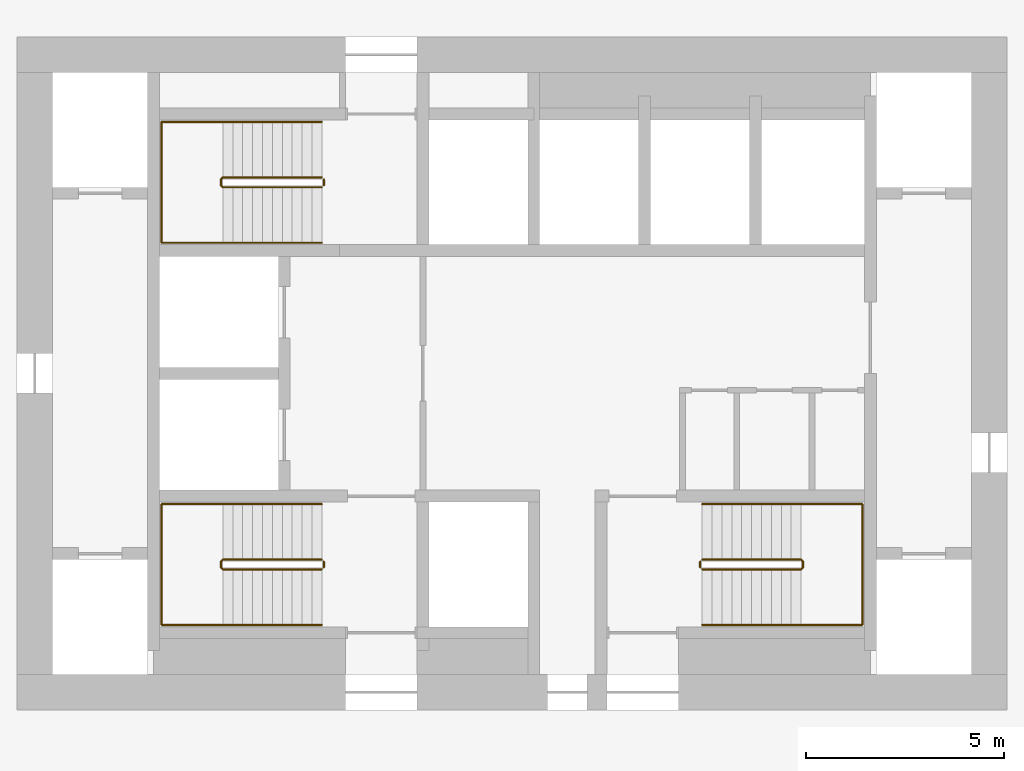
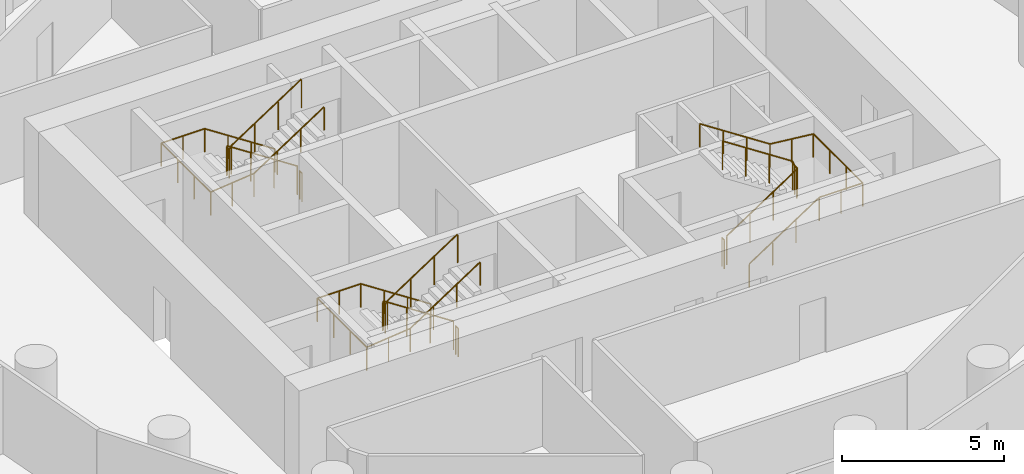
# One storey, part 9 of 9: 9 railings.
"""IFC4 building model written with IfcOpenShell, lengths in metres."""

from ifc_helpers import new_model, si_unit, direction, frame, origin, origin_2d, place, context, subcontext, project, spatial, circle, extrude, material, type_object, element, save


model = new_model("IFC4")

# Units and contexts
model_context = context("Model", 3, precision=1e-05, world=origin(), true_north=direction((0.0, 1.0)))
body_context = subcontext(model_context, "Body", "Model", "MODEL_VIEW")
ifc_project = project(units=[si_unit("LENGTHUNIT", "METRE"), si_unit("AREAUNIT", "SQUARE_METRE"), si_unit("VOLUMEUNIT", "CUBIC_METRE"), si_unit("PLANEANGLEUNIT", "RADIAN"), si_unit("MASSUNIT", "GRAM", prefix="KILO")], contexts=[model_context])

# Site, building, storey
site_placement = place(None, origin())
site = spatial("IfcSite", under=ifc_project, at=site_placement, CompositionType="ELEMENT")
building_placement = place(site_placement, origin())
building = spatial("IfcBuilding", under=site, at=building_placement, Name="Tracery Tower", CompositionType="ELEMENT")
storey_placement = place(building_placement, frame((0.0, 0.0, 154.800048828125)))
storey = spatial("IfcBuildingStorey", under=building, at=storey_placement, Name="L39", CompositionType="ELEMENT", Elevation=154.800048828125)

# Railings
ifc_material_1 = material(Name="Stainless steel and laminated glass", Category="steel")
railing_type_1 = type_object("IfcRailingType", Name="Stair guard 1100", PredefinedType="GUARDRAIL", material=ifc_material_1)
railing_1_placement = place(storey_placement, frame((-4.800048828125, -4.699951171875, 0.16357421875)))
element("IfcRailing", 1, at=railing_1_placement, inside=storey, type_object=railing_type_1, Name="L39 stair ST1 guard 1", PredefinedType="GUARDRAIL", context=body_context, shape_type="SweptSolid", body=[
    extrude(circle(Radius=0.02392578125, at=origin_2d()), frame((0.0, 0.0, 1.076171875), z_axis=(-0.83668449804, 0.0, 0.54768517484), x_axis=(0.0, -1.0, 0.0)), (0.0, 0.0, 1.0), 2.988037109375),
    extrude(circle(Radius=0.02392578125, at=origin_2d()), frame((-2.5, 0.0, 2.71240234375), z_axis=(-0.707106781187, -0.707106781187, 0.0), x_axis=(0.707106781187, -0.707106781187, 0.0)), (0.0, 0.0, 1.0), 0.07080078125),
    extrude(circle(Radius=0.02392578125, at=origin_2d()), frame((-2.550048828125, -0.050048828125, 2.71240234375), z_axis=(0.0, -1.0, 0.0), x_axis=(1.0, 0.0, 0.0)), (0.0, 0.0, 1.0), 0.14990234375),
    extrude(circle(Radius=0.02392578125, at=origin_2d()), frame((-2.550048828125, -0.199951171875, 2.71240234375), z_axis=(0.280808744504, -0.280808744504, 0.917765164963), x_axis=(0.707106781187, 0.707106781187, 0.0)), (0.0, 0.0, 1.0), 0.17822265625),
    extrude(circle(Radius=0.02392578125, at=origin_2d()), frame((-2.5, -0.25, 2.8759765625), z_axis=(0.836721939367, 0.0, 0.547627972425), x_axis=(0.0, 1.0, 0.0)), (0.0, 0.0, 1.0), 2.98779296875),
    extrude(circle(Radius=0.02099609375, at=origin_2d()), origin(), (0.0, 0.0, 1.0), 1.052001953125),
    extrude(circle(Radius=0.02099609375, at=origin_2d()), frame((-0.833251953125, 0.0, 0.54541015625)), (0.0, 0.0, 1.0), 1.052001953125),
    extrude(circle(Radius=0.02099609375, at=origin_2d()), frame((-1.666748046875, 0.0, 1.091064453125)), (0.0, 0.0, 1.0), 1.052001953125),
    extrude(circle(Radius=0.02099609375, at=origin_2d()), frame((-2.5, 0.0, 1.636474609375)), (0.0, 0.0, 1.0), 1.052001953125),
    extrude(circle(Radius=0.02099609375, at=origin_2d()), frame((-2.550048828125, -0.050048828125, 1.636474609375)), (0.0, 0.0, 1.0), 1.052001953125),
    extrude(circle(Radius=0.02099609375, at=origin_2d()), frame((-2.550048828125, -0.199951171875, 1.636474609375)), (0.0, 0.0, 1.0), 1.052001953125),
    extrude(circle(Radius=0.02099609375, at=origin_2d()), frame((-2.5, -0.25, 1.800048828125)), (0.0, 0.0, 1.0), 1.052001953125),
    extrude(circle(Radius=0.02099609375, at=origin_2d()), frame((-1.666748046875, -0.25, 2.345458984375)), (0.0, 0.0, 1.0), 1.052001953125),
    extrude(circle(Radius=0.02099609375, at=origin_2d()), frame((-0.833251953125, -0.25, 2.890869140625)), (0.0, 0.0, 1.0), 1.052001953125),
    extrude(circle(Radius=0.02099609375, at=origin_2d()), frame((0.0, -0.25, 3.436279296875)), (0.0, 0.0, 1.0), 1.052001953125),
])
railing_2_placement = place(storey_placement, frame((-4.75, -4.75, 0.0)))
element("IfcRailing", 2, at=railing_2_placement, inside=storey, type_object=railing_type_1, Name="L39 stair ST1 guard 2", PredefinedType="GUARDRAIL", context=body_context, shape_type="SweptSolid", body=[
    extrude(circle(Radius=0.02392578125, at=origin_2d()), frame((0.0, 0.0, 1.076171875), z_axis=(0.0, -1.0, 0.0), x_axis=(1.0, 0.0, 0.0)), (0.0, 0.0, 1.0), 0.14990234375),
    extrude(circle(Radius=0.02099609375, at=origin_2d()), origin(), (0.0, 0.0, 1.0), 1.052001953125),
    extrude(circle(Radius=0.02099609375, at=origin_2d()), frame((0.0, -0.14990234375, 0.0)), (0.0, 0.0, 1.0), 1.052001953125),
])
railing_3_placement = place(storey_placement, frame((-4.800048828125, 4.949951171875, 0.16357421875)))
element("IfcRailing", 3, at=railing_3_placement, inside=storey, type_object=railing_type_1, Name="L39 stair ST3 guard 1", PredefinedType="GUARDRAIL", context=body_context, shape_type="SweptSolid", body=[
    extrude(circle(Radius=0.02392578125, at=origin_2d()), frame((0.0, 0.0, 1.076171875), z_axis=(-0.83668449804, 0.0, 0.54768517484), x_axis=(0.0, -1.0, 0.0)), (0.0, 0.0, 1.0), 2.988037109375),
    extrude(circle(Radius=0.02392578125, at=origin_2d()), frame((-2.5, 0.0, 2.71240234375), z_axis=(-0.707106781187, -0.707106781187, 0.0), x_axis=(0.707106781187, -0.707106781187, 0.0)), (0.0, 0.0, 1.0), 0.07080078125),
    extrude(circle(Radius=0.02392578125, at=origin_2d()), frame((-2.550048828125, -0.050048828125, 2.71240234375), z_axis=(0.0, -1.0, 0.0), x_axis=(1.0, 0.0, 0.0)), (0.0, 0.0, 1.0), 0.14990234375),
    extrude(circle(Radius=0.02392578125, at=origin_2d()), frame((-2.550048828125, -0.199951171875, 2.71240234375), z_axis=(0.280808744504, -0.280808744504, 0.917765164963), x_axis=(0.707106781187, 0.707106781187, 0.0)), (0.0, 0.0, 1.0), 0.17822265625),
    extrude(circle(Radius=0.02392578125, at=origin_2d()), frame((-2.5, -0.25, 2.8759765625), z_axis=(0.836721939367, 0.0, 0.547627972425), x_axis=(0.0, 1.0, 0.0)), (0.0, 0.0, 1.0), 2.98779296875),
    extrude(circle(Radius=0.02099609375, at=origin_2d()), origin(), (0.0, 0.0, 1.0), 1.052001953125),
    extrude(circle(Radius=0.02099609375, at=origin_2d()), frame((-0.833251953125, 0.0, 0.54541015625)), (0.0, 0.0, 1.0), 1.052001953125),
    extrude(circle(Radius=0.02099609375, at=origin_2d()), frame((-1.666748046875, 0.0, 1.091064453125)), (0.0, 0.0, 1.0), 1.052001953125),
    extrude(circle(Radius=0.02099609375, at=origin_2d()), frame((-2.5, 0.0, 1.636474609375)), (0.0, 0.0, 1.0), 1.052001953125),
    extrude(circle(Radius=0.02099609375, at=origin_2d()), frame((-2.550048828125, -0.050048828125, 1.636474609375)), (0.0, 0.0, 1.0), 1.052001953125),
    extrude(circle(Radius=0.02099609375, at=origin_2d()), frame((-2.550048828125, -0.199951171875, 1.636474609375)), (0.0, 0.0, 1.0), 1.052001953125),
    extrude(circle(Radius=0.02099609375, at=origin_2d()), frame((-2.5, -0.25, 1.800048828125)), (0.0, 0.0, 1.0), 1.052001953125),
    extrude(circle(Radius=0.02099609375, at=origin_2d()), frame((-1.666748046875, -0.25, 2.345458984375)), (0.0, 0.0, 1.0), 1.052001953125),
    extrude(circle(Radius=0.02099609375, at=origin_2d()), frame((-0.833251953125, -0.25, 2.890869140625)), (0.0, 0.0, 1.0), 1.052001953125),
    extrude(circle(Radius=0.02099609375, at=origin_2d()), frame((0.0, -0.25, 3.436279296875)), (0.0, 0.0, 1.0), 1.052001953125),
])
railing_4_placement = place(storey_placement, frame((-4.75, 4.89990234375, 0.0)))
element("IfcRailing", 4, at=railing_4_placement, inside=storey, type_object=railing_type_1, Name="L39 stair ST3 guard 2", PredefinedType="GUARDRAIL", context=body_context, shape_type="SweptSolid", body=[
    extrude(circle(Radius=0.02392578125, at=origin_2d()), frame((0.0, 0.0, 1.076171875), z_axis=(0.0, -1.0, 0.0), x_axis=(1.0, 0.0, 0.0)), (0.0, 0.0, 1.0), 0.14990234375),
    extrude(circle(Radius=0.02099609375, at=origin_2d()), origin(), (0.0, 0.0, 1.0), 1.052001953125),
    extrude(circle(Radius=0.02099609375, at=origin_2d()), frame((0.0, -0.14990234375, 0.0)), (0.0, 0.0, 1.0), 1.052001953125),
])
railing_5_placement = place(storey_placement, frame((4.800048828125, -4.949951171875, 0.16357421875)))
element("IfcRailing", 5, at=railing_5_placement, inside=storey, type_object=railing_type_1, Name="L39 stair ST2 guard 1", PredefinedType="GUARDRAIL", context=body_context, shape_type="SweptSolid", body=[
    extrude(circle(Radius=0.02392578125, at=origin_2d()), frame((0.0, 0.0, 1.076171875), z_axis=(0.83668449804, 0.0, 0.54768517484), x_axis=(0.0, 1.0, 0.0)), (0.0, 0.0, 1.0), 2.988037109375),
    extrude(circle(Radius=0.02392578125, at=origin_2d()), frame((2.5, 0.0, 2.71240234375), z_axis=(0.707106781187, 0.707106781187, 0.0), x_axis=(-0.707106781187, 0.707106781187, 0.0)), (0.0, 0.0, 1.0), 0.07080078125),
    extrude(circle(Radius=0.02392578125, at=origin_2d()), frame((2.550048828125, 0.050048828125, 2.71240234375), z_axis=(0.0, 1.0, 0.0), x_axis=(-1.0, 0.0, 0.0)), (0.0, 0.0, 1.0), 0.14990234375),
    extrude(circle(Radius=0.02392578125, at=origin_2d()), frame((2.550048828125, 0.199951171875, 2.71240234375), z_axis=(-0.280808744504, 0.280808744504, 0.917765164963), x_axis=(-0.707106781187, -0.707106781187, 0.0)), (0.0, 0.0, 1.0), 0.17822265625),
    extrude(circle(Radius=0.02392578125, at=origin_2d()), frame((2.5, 0.25, 2.8759765625), z_axis=(-0.836721939367, 0.0, 0.547627972425), x_axis=(0.0, -1.0, 0.0)), (0.0, 0.0, 1.0), 2.98779296875),
    extrude(circle(Radius=0.02099609375, at=origin_2d()), origin(), (0.0, 0.0, 1.0), 1.052001953125),
    extrude(circle(Radius=0.02099609375, at=origin_2d()), frame((0.833251953125, 0.0, 0.54541015625)), (0.0, 0.0, 1.0), 1.052001953125),
    extrude(circle(Radius=0.02099609375, at=origin_2d()), frame((1.666748046875, 0.0, 1.091064453125)), (0.0, 0.0, 1.0), 1.052001953125),
    extrude(circle(Radius=0.02099609375, at=origin_2d()), frame((2.5, 0.0, 1.636474609375)), (0.0, 0.0, 1.0), 1.052001953125),
    extrude(circle(Radius=0.02099609375, at=origin_2d()), frame((2.550048828125, 0.050048828125, 1.636474609375)), (0.0, 0.0, 1.0), 1.052001953125),
    extrude(circle(Radius=0.02099609375, at=origin_2d()), frame((2.550048828125, 0.199951171875, 1.636474609375)), (0.0, 0.0, 1.0), 1.052001953125),
    extrude(circle(Radius=0.02099609375, at=origin_2d()), frame((2.5, 0.25, 1.800048828125)), (0.0, 0.0, 1.0), 1.052001953125),
    extrude(circle(Radius=0.02099609375, at=origin_2d()), frame((1.666748046875, 0.25, 2.345458984375)), (0.0, 0.0, 1.0), 1.052001953125),
    extrude(circle(Radius=0.02099609375, at=origin_2d()), frame((0.833251953125, 0.25, 2.890869140625)), (0.0, 0.0, 1.0), 1.052001953125),
    extrude(circle(Radius=0.02099609375, at=origin_2d()), frame((0.0, 0.25, 3.436279296875)), (0.0, 0.0, 1.0), 1.052001953125),
])
railing_6_placement = place(storey_placement, frame((4.75, -4.89990234375, 0.0)))
element("IfcRailing", 6, at=railing_6_placement, inside=storey, type_object=railing_type_1, Name="L39 stair ST2 guard 2", PredefinedType="GUARDRAIL", context=body_context, shape_type="SweptSolid", body=[
    extrude(circle(Radius=0.02392578125, at=origin_2d()), frame((0.0, 0.0, 1.076171875), z_axis=(0.0, 1.0, 0.0), x_axis=(-1.0, 0.0, 0.0)), (0.0, 0.0, 1.0), 0.14990234375),
    extrude(circle(Radius=0.02099609375, at=origin_2d()), origin(), (0.0, 0.0, 1.0), 1.052001953125),
    extrude(circle(Radius=0.02099609375, at=origin_2d()), frame((0.0, 0.14990234375, 0.0)), (0.0, 0.0, 1.0), 1.052001953125),
])
ifc_material_2 = material(Name="Stainless steel and laminated glass", Category="steel")
railing_type_2 = type_object("IfcRailingType", Name="Stair handrail 900", PredefinedType="HANDRAIL", material=ifc_material_2)
railing_7_placement = place(storey_placement, frame((-4.800048828125, -3.300048828125, 0.16357421875)))
element("IfcRailing", 7, at=railing_7_placement, inside=storey, type_object=railing_type_2, Name="L39 stair ST1 handrail 1", PredefinedType="HANDRAIL", context=body_context, shape_type="SweptSolid", body=[
    extrude(circle(Radius=0.02392578125, at=origin_2d()), frame((0.0, 0.0, 0.8759765625), z_axis=(-0.83668449804, 0.0, 0.54768517484), x_axis=(0.0, -1.0, 0.0)), (0.0, 0.0, 1.0), 2.988037109375),
    extrude(circle(Radius=0.02392578125, at=origin_2d()), frame((-2.5, 0.0, 2.51220703125), z_axis=(-1.0, 0.0, 0.0), x_axis=(0.0, -1.0, 0.0)), (0.0, 0.0, 1.0), 1.550048828125),
    extrude(circle(Radius=0.02392578125, at=origin_2d()), frame((-4.050048828125, 0.0, 2.51220703125), z_axis=(0.0, -1.0, 0.0), x_axis=(1.0, 0.0, 0.0)), (0.0, 0.0, 1.0), 3.050048828125),
    extrude(circle(Radius=0.02392578125, at=origin_2d()), frame((-4.050048828125, -3.050048828125, 2.51220703125), z_axis=(0.994477953863, 0.0, 0.104945696817), x_axis=(0.0, 1.0, 0.0)), (0.0, 0.0, 1.0), 1.55859375),
    extrude(circle(Radius=0.02392578125, at=origin_2d()), frame((-2.5, -3.050048828125, 2.67578125), z_axis=(0.836721939367, 0.0, 0.547627972425), x_axis=(0.0, 1.0, 0.0)), (0.0, 0.0, 1.0), 2.98779296875),
    extrude(circle(Radius=0.02099609375, at=origin_2d()), origin(), (0.0, 0.0, 1.0), 0.851806640625),
    extrude(circle(Radius=0.02099609375, at=origin_2d()), frame((-0.833251953125, 0.0, 0.54541015625)), (0.0, 0.0, 1.0), 0.851806640625),
    extrude(circle(Radius=0.02099609375, at=origin_2d()), frame((-1.666748046875, 0.0, 1.091064453125)), (0.0, 0.0, 1.0), 0.851806640625),
    extrude(circle(Radius=0.02099609375, at=origin_2d()), frame((-2.5, 0.0, 1.636474609375)), (0.0, 0.0, 1.0), 0.851806640625),
    extrude(circle(Radius=0.02099609375, at=origin_2d()), frame((-3.27490234375, 0.0, 1.636474609375)), (0.0, 0.0, 1.0), 0.851806640625),
    extrude(circle(Radius=0.02099609375, at=origin_2d()), frame((-4.050048828125, 0.0, 1.636474609375)), (0.0, 0.0, 1.0), 0.851806640625),
    extrude(circle(Radius=0.02099609375, at=origin_2d()), frame((-4.050048828125, -1.0166015625, 1.636474609375)), (0.0, 0.0, 1.0), 0.851806640625),
    extrude(circle(Radius=0.02099609375, at=origin_2d()), frame((-4.050048828125, -2.033447265625, 1.636474609375)), (0.0, 0.0, 1.0), 0.851806640625),
    extrude(circle(Radius=0.02099609375, at=origin_2d()), frame((-4.050048828125, -3.050048828125, 1.636474609375)), (0.0, 0.0, 1.0), 0.851806640625),
    extrude(circle(Radius=0.02099609375, at=origin_2d()), frame((-3.27490234375, -3.050048828125, 1.71826171875)), (0.0, 0.0, 1.0), 0.851806640625),
    extrude(circle(Radius=0.02099609375, at=origin_2d()), frame((-2.5, -3.050048828125, 1.800048828125)), (0.0, 0.0, 1.0), 0.851806640625),
    extrude(circle(Radius=0.02099609375, at=origin_2d()), frame((-1.666748046875, -3.050048828125, 2.345458984375)), (0.0, 0.0, 1.0), 0.851806640625),
    extrude(circle(Radius=0.02099609375, at=origin_2d()), frame((-0.833251953125, -3.050048828125, 2.890869140625)), (0.0, 0.0, 1.0), 0.851806640625),
    extrude(circle(Radius=0.02099609375, at=origin_2d()), frame((0.0, -3.050048828125, 3.436279296875)), (0.0, 0.0, 1.0), 0.851806640625),
])
railing_8_placement = place(storey_placement, frame((-4.800048828125, 6.35009765625, 0.16357421875)))
element("IfcRailing", 8, at=railing_8_placement, inside=storey, type_object=railing_type_2, Name="L39 stair ST3 handrail 1", PredefinedType="HANDRAIL", context=body_context, shape_type="SweptSolid", body=[
    extrude(circle(Radius=0.02392578125, at=origin_2d()), frame((0.0, 0.0, 0.8759765625), z_axis=(-0.83668449804, 0.0, 0.54768517484), x_axis=(0.0, -1.0, 0.0)), (0.0, 0.0, 1.0), 2.988037109375),
    extrude(circle(Radius=0.02392578125, at=origin_2d()), frame((-2.5, 0.0, 2.51220703125), z_axis=(-1.0, 0.0, 0.0), x_axis=(0.0, -1.0, 0.0)), (0.0, 0.0, 1.0), 1.550048828125),
    extrude(circle(Radius=0.02392578125, at=origin_2d()), frame((-4.050048828125, 0.0, 2.51220703125), z_axis=(0.0, -1.0, 0.0), x_axis=(1.0, 0.0, 0.0)), (0.0, 0.0, 1.0), 3.050048828125),
    extrude(circle(Radius=0.02392578125, at=origin_2d()), frame((-4.050048828125, -3.050048828125, 2.51220703125), z_axis=(0.994477953863, 0.0, 0.104945696817), x_axis=(0.0, 1.0, 0.0)), (0.0, 0.0, 1.0), 1.55859375),
    extrude(circle(Radius=0.02392578125, at=origin_2d()), frame((-2.5, -3.050048828125, 2.67578125), z_axis=(0.836721939367, 0.0, 0.547627972425), x_axis=(0.0, 1.0, 0.0)), (0.0, 0.0, 1.0), 2.98779296875),
    extrude(circle(Radius=0.02099609375, at=origin_2d()), origin(), (0.0, 0.0, 1.0), 0.851806640625),
    extrude(circle(Radius=0.02099609375, at=origin_2d()), frame((-0.833251953125, 0.0, 0.54541015625)), (0.0, 0.0, 1.0), 0.851806640625),
    extrude(circle(Radius=0.02099609375, at=origin_2d()), frame((-1.666748046875, 0.0, 1.091064453125)), (0.0, 0.0, 1.0), 0.851806640625),
    extrude(circle(Radius=0.02099609375, at=origin_2d()), frame((-2.5, 0.0, 1.636474609375)), (0.0, 0.0, 1.0), 0.851806640625),
    extrude(circle(Radius=0.02099609375, at=origin_2d()), frame((-3.27490234375, 0.0, 1.636474609375)), (0.0, 0.0, 1.0), 0.851806640625),
    extrude(circle(Radius=0.02099609375, at=origin_2d()), frame((-4.050048828125, 0.0, 1.636474609375)), (0.0, 0.0, 1.0), 0.851806640625),
    extrude(circle(Radius=0.02099609375, at=origin_2d()), frame((-4.050048828125, -1.0166015625, 1.636474609375)), (0.0, 0.0, 1.0), 0.851806640625),
    extrude(circle(Radius=0.02099609375, at=origin_2d()), frame((-4.050048828125, -2.033447265625, 1.636474609375)), (0.0, 0.0, 1.0), 0.851806640625),
    extrude(circle(Radius=0.02099609375, at=origin_2d()), frame((-4.050048828125, -3.050048828125, 1.636474609375)), (0.0, 0.0, 1.0), 0.851806640625),
    extrude(circle(Radius=0.02099609375, at=origin_2d()), frame((-3.27490234375, -3.050048828125, 1.71826171875)), (0.0, 0.0, 1.0), 0.851806640625),
    extrude(circle(Radius=0.02099609375, at=origin_2d()), frame((-2.5, -3.050048828125, 1.800048828125)), (0.0, 0.0, 1.0), 0.851806640625),
    extrude(circle(Radius=0.02099609375, at=origin_2d()), frame((-1.666748046875, -3.050048828125, 2.345458984375)), (0.0, 0.0, 1.0), 0.851806640625),
    extrude(circle(Radius=0.02099609375, at=origin_2d()), frame((-0.833251953125, -3.050048828125, 2.890869140625)), (0.0, 0.0, 1.0), 0.851806640625),
    extrude(circle(Radius=0.02099609375, at=origin_2d()), frame((0.0, -3.050048828125, 3.436279296875)), (0.0, 0.0, 1.0), 0.851806640625),
])
railing_9_placement = place(storey_placement, frame((4.800048828125, -6.35009765625, 0.16357421875)))
element("IfcRailing", 9, at=railing_9_placement, inside=storey, type_object=railing_type_2, Name="L39 stair ST2 handrail 1", PredefinedType="HANDRAIL", context=body_context, shape_type="SweptSolid", body=[
    extrude(circle(Radius=0.02392578125, at=origin_2d()), frame((0.0, 0.0, 0.8759765625), z_axis=(0.83668449804, 0.0, 0.54768517484), x_axis=(0.0, 1.0, 0.0)), (0.0, 0.0, 1.0), 2.988037109375),
    extrude(circle(Radius=0.02392578125, at=origin_2d()), frame((2.5, 0.0, 2.51220703125), z_axis=(1.0, 0.0, 0.0), x_axis=(0.0, 1.0, 0.0)), (0.0, 0.0, 1.0), 1.550048828125),
    extrude(circle(Radius=0.02392578125, at=origin_2d()), frame((4.050048828125, 0.0, 2.51220703125), z_axis=(0.0, 1.0, 0.0), x_axis=(-1.0, 0.0, 0.0)), (0.0, 0.0, 1.0), 3.050048828125),
    extrude(circle(Radius=0.02392578125, at=origin_2d()), frame((4.050048828125, 3.050048828125, 2.51220703125), z_axis=(-0.994477953863, 0.0, 0.104945696817), x_axis=(0.0, -1.0, 0.0)), (0.0, 0.0, 1.0), 1.55859375),
    extrude(circle(Radius=0.02392578125, at=origin_2d()), frame((2.5, 3.050048828125, 2.67578125), z_axis=(-0.836721939367, 0.0, 0.547627972425), x_axis=(0.0, -1.0, 0.0)), (0.0, 0.0, 1.0), 2.98779296875),
    extrude(circle(Radius=0.02099609375, at=origin_2d()), origin(), (0.0, 0.0, 1.0), 0.851806640625),
    extrude(circle(Radius=0.02099609375, at=origin_2d()), frame((0.833251953125, 0.0, 0.54541015625)), (0.0, 0.0, 1.0), 0.851806640625),
    extrude(circle(Radius=0.02099609375, at=origin_2d()), frame((1.666748046875, 0.0, 1.091064453125)), (0.0, 0.0, 1.0), 0.851806640625),
    extrude(circle(Radius=0.02099609375, at=origin_2d()), frame((2.5, 0.0, 1.636474609375)), (0.0, 0.0, 1.0), 0.851806640625),
    extrude(circle(Radius=0.02099609375, at=origin_2d()), frame((3.27490234375, 0.0, 1.636474609375)), (0.0, 0.0, 1.0), 0.851806640625),
    extrude(circle(Radius=0.02099609375, at=origin_2d()), frame((4.050048828125, 0.0, 1.636474609375)), (0.0, 0.0, 1.0), 0.851806640625),
    extrude(circle(Radius=0.02099609375, at=origin_2d()), frame((4.050048828125, 1.0166015625, 1.636474609375)), (0.0, 0.0, 1.0), 0.851806640625),
    extrude(circle(Radius=0.02099609375, at=origin_2d()), frame((4.050048828125, 2.033447265625, 1.636474609375)), (0.0, 0.0, 1.0), 0.851806640625),
    extrude(circle(Radius=0.02099609375, at=origin_2d()), frame((4.050048828125, 3.050048828125, 1.636474609375)), (0.0, 0.0, 1.0), 0.851806640625),
    extrude(circle(Radius=0.02099609375, at=origin_2d()), frame((3.27490234375, 3.050048828125, 1.71826171875)), (0.0, 0.0, 1.0), 0.851806640625),
    extrude(circle(Radius=0.02099609375, at=origin_2d()), frame((2.5, 3.050048828125, 1.800048828125)), (0.0, 0.0, 1.0), 0.851806640625),
    extrude(circle(Radius=0.02099609375, at=origin_2d()), frame((1.666748046875, 3.050048828125, 2.345458984375)), (0.0, 0.0, 1.0), 0.851806640625),
    extrude(circle(Radius=0.02099609375, at=origin_2d()), frame((0.833251953125, 3.050048828125, 2.890869140625)), (0.0, 0.0, 1.0), 0.851806640625),
    extrude(circle(Radius=0.02099609375, at=origin_2d()), frame((0.0, 3.050048828125, 3.436279296875)), (0.0, 0.0, 1.0), 0.851806640625),
])

save(model, "model.ifc")
